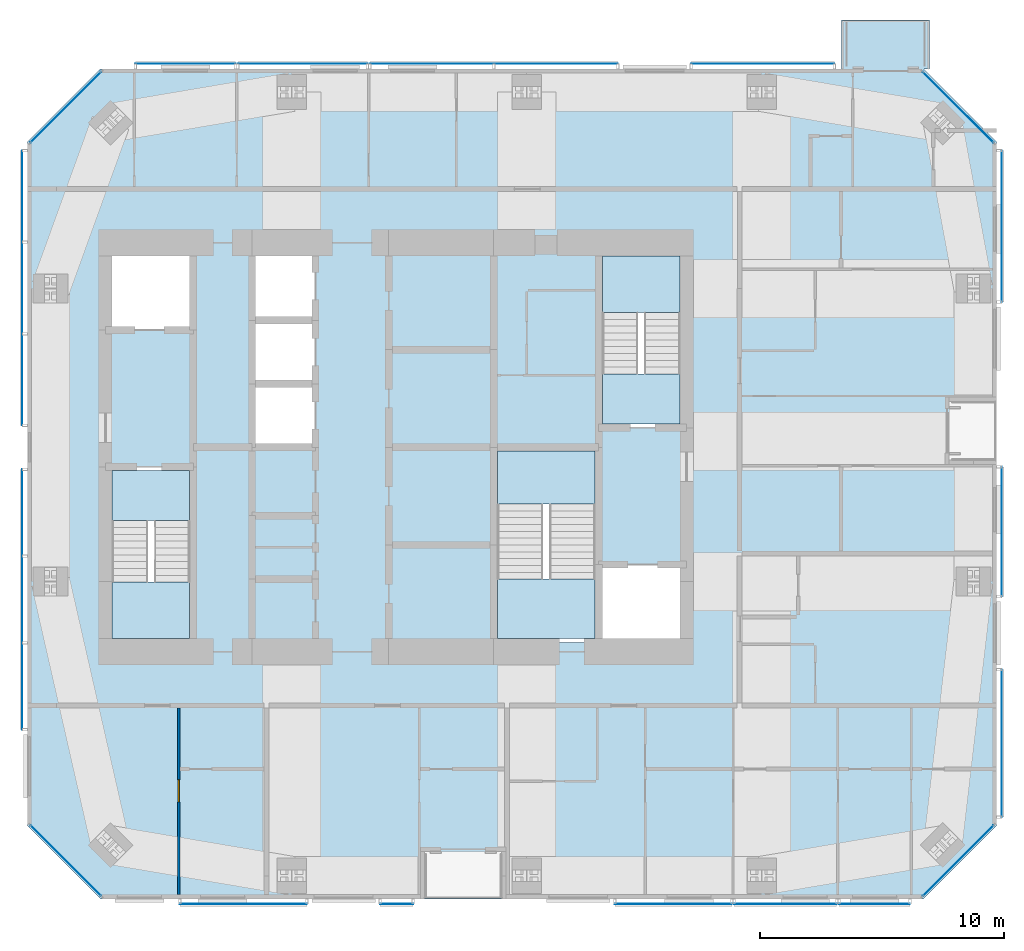
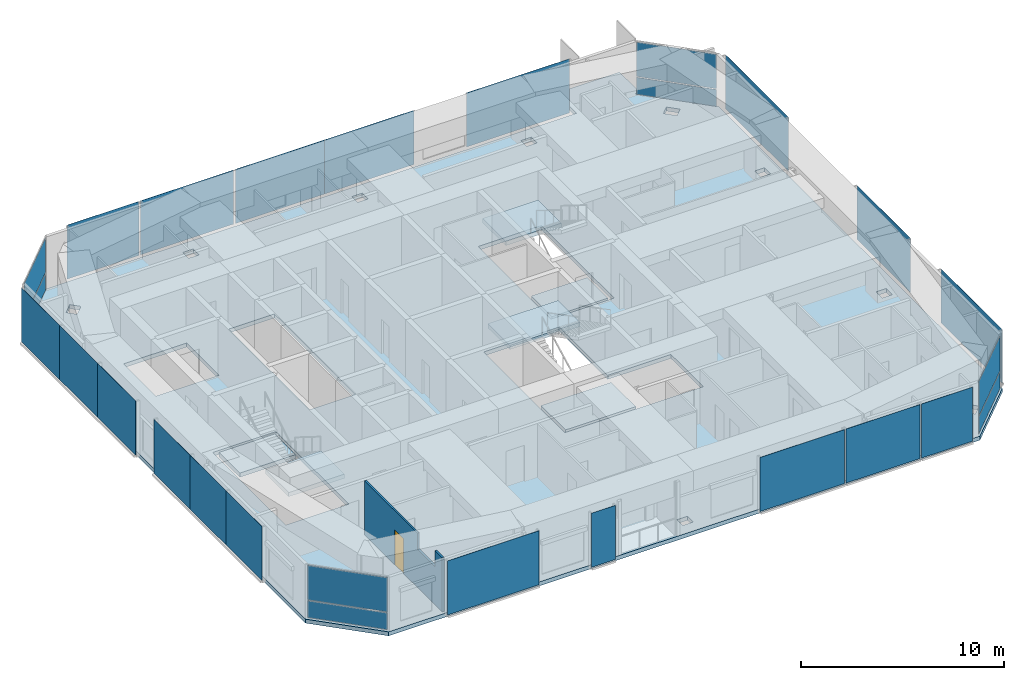
# One storey, part 13 of 20: 27 plates, 7 slabs, 1 door, 1 wall, 1 opening, 21 elements without a shape of their own.
"""IFC4 building model written with IfcOpenShell, lengths in metres."""

import ifcopenshell
import ifcopenshell.guid

model = None  # the IFC model being written
_history = None  # IfcOwnerHistory: only IFC2X3 demands one
_inside = {}  # id of a spatial element -> (the spatial element, [elements in it])
_under = {}  # id of a project, library or spatial element -> (it, [spatial elements below it])
_declared = {}  # id of a project -> (the project, [libraries it declares])
_typed = {}  # id of a type object -> (the type object, [elements of that type])
_made_of = {}  # id of a material, layer set ... -> (it, [elements and type objects made of it])


def new_model(schema):
    """Start an empty IFC model of exactly this schema.

    Asked for "IFC4X3", IfcOpenShell would pick the latest addendum, in which some entities
    have other attributes; the version numbers below select the first issue.
    IFC2X3 requires an IfcOwnerHistory on every rooted entity: one is made here for all.
    """
    global model, _history
    if schema == "IFC4X3":
        model = ifcopenshell.file(schema_version=(4, 3, 0, 0))
    else:
        model = ifcopenshell.file(schema=schema)
    _inside.clear()
    _under.clear()
    _declared.clear()
    _typed.clear()
    _made_of.clear()
    _history = None
    if model.schema == "IFC2X3":
        org = make("IfcOrganization", Name="unknown")
        user = make(
            "IfcPersonAndOrganization",
            ThePerson=make("IfcPerson", FamilyName="unknown"),
            TheOrganization=org,
        )
        app = make(
            "IfcApplication",
            ApplicationDeveloper=org,
            Version="unknown",
            ApplicationFullName="unknown",
            ApplicationIdentifier="unknown",
        )
        _history = make(
            "IfcOwnerHistory",
            OwningUser=user,
            OwningApplication=app,
            ChangeAction="ADDED",
            CreationDate=0,
        )
    return model


def make(cls, **values):
    """One entity of the class cls with the attributes given. An attribute that is None is left unset."""
    return model.create_entity(
        cls, **{name: value for name, value in values.items() if value is not None}
    )


def rooted(cls, **values):
    """An entity with a GlobalId (a new one), such as an element, a storey or a relation."""
    return make(cls, GlobalId=ifcopenshell.guid.new(), OwnerHistory=_history, **values)


def si_unit(unit_type, name, prefix=None):
    """IfcSIUnit, for example si_unit("LENGTHUNIT", "METRE", prefix="MILLI")."""
    return make("IfcSIUnit", UnitType=unit_type, Prefix=prefix, Name=name)


def assignment(units):
    """IfcUnitAssignment: the units of a project."""
    return None if units is None else make("IfcUnitAssignment", Units=units)


def point(xyz):
    """IfcCartesianPoint."""
    return None if xyz is None else make("IfcCartesianPoint", Coordinates=xyz)


def direction(xyz):
    """IfcDirection."""
    return None if xyz is None else make("IfcDirection", DirectionRatios=xyz)


def frame(location, z_axis=None, x_axis=None):
    """IfcAxis2Placement3D, a coordinate frame: its origin and axes. An axis left out is left unset."""
    return make(
        "IfcAxis2Placement3D",
        Location=point(location),
        Axis=direction(z_axis),
        RefDirection=direction(x_axis),
    )


def frame_2d(location, x_axis=None):
    """IfcAxis2Placement2D, a coordinate frame in the plane: its origin and x axis."""
    return make(
        "IfcAxis2Placement2D", Location=point(location), RefDirection=direction(x_axis)
    )


def origin():
    """The frame at (0, 0, 0) with its axes left unset."""
    return frame((0.0, 0.0, 0.0))


def origin_2d():
    """The frame at (0, 0) in the plane with its x axis left unset."""
    return frame_2d((0.0, 0.0))


def place(relative_to, where):
    """IfcLocalPlacement: puts the frame where relative to a parent placement (None: the world)."""
    return make(
        "IfcLocalPlacement", PlacementRelTo=relative_to, RelativePlacement=where
    )


def context(
    kind, dimensions, precision=None, world=None, true_north=None, identifier=None
):
    """IfcGeometricRepresentationContext, for example the 3D "Model" context."""
    return make(
        "IfcGeometricRepresentationContext",
        ContextIdentifier=identifier,
        ContextType=kind,
        CoordinateSpaceDimension=dimensions,
        Precision=precision,
        WorldCoordinateSystem=world,
        TrueNorth=true_north,
    )


def subcontext(parent, identifier, kind, view, scale=None):
    """IfcGeometricRepresentationSubContext, for example "Body" below "Model"."""
    return make(
        "IfcGeometricRepresentationSubContext",
        ContextIdentifier=identifier,
        ContextType=kind,
        ParentContext=parent,
        TargetScale=scale,
        TargetView=view,
    )


def project(units=None, contexts=None):
    """IfcProject with its units and contexts."""
    return rooted(
        "IfcProject",
        Name="project",
        RepresentationContexts=contexts,
        UnitsInContext=assignment(units),
    )


def spatial(cls, under=None, at=None, **own):
    """A site, building, storey or space (cls), placed at a placement, below another one or the project."""
    s = rooted(cls, ObjectPlacement=at, **own)
    if under is not None:
        _under.setdefault(under.id(), (under, []))[1].append(s)
    return s


def polyline(points):
    """IfcPolyline through the points."""
    return make("IfcPolyline", Points=[point(p) for p in points])


def profile(cls, at=None, kind="AREA", **sizes):
    """A parametric profile (cls). Its sizes go by their IFC names, for example OverallWidth=200.0."""
    return make(cls, ProfileType=kind, Position=at, **sizes)


def rectangle(**sizes):
    """IfcRectangleProfileDef."""
    return profile("IfcRectangleProfileDef", **sizes)


def outline(outer, holes=None, kind="AREA"):
    """IfcArbitraryClosedProfileDef: a profile drawn as a closed curve; with holes, ...WithVoids."""
    if holes is None:
        return make("IfcArbitraryClosedProfileDef", ProfileType=kind, OuterCurve=outer)
    return make(
        "IfcArbitraryProfileDefWithVoids",
        ProfileType=kind,
        OuterCurve=outer,
        InnerCurves=holes,
    )


def extrude(swept, where, along, depth):
    """IfcExtrudedAreaSolid: the profile swept, set in the frame where, extruded along a direction by depth."""
    return make(
        "IfcExtrudedAreaSolid",
        SweptArea=swept,
        Position=where,
        ExtrudedDirection=direction(along),
        Depth=depth,
    )


def shape(context_of_items, identifier, shape_type, items):
    """IfcShapeRepresentation: the items that make up one representation, for example the "Body"."""
    return make(
        "IfcShapeRepresentation",
        ContextOfItems=context_of_items,
        RepresentationIdentifier=identifier,
        RepresentationType=shape_type,
        Items=items,
    )


def material(Name=None, Category=None):
    """IfcMaterial."""
    return make("IfcMaterial", Name=Name, Category=Category)


def layer(
    of_material, thickness, ventilated=None, Name=None, Category=None, Priority=None
):
    """IfcMaterialLayer: one layer of a wall or slab, of a material (None: an air gap)."""
    return make(
        "IfcMaterialLayer",
        Material=of_material,
        LayerThickness=thickness,
        IsVentilated=ventilated,
        Name=Name,
        Category=Category,
        Priority=Priority,
    )


def layer_set(layers, Name=None):
    """IfcMaterialLayerSet."""
    return make("IfcMaterialLayerSet", MaterialLayers=layers, LayerSetName=Name)


def constituent(of_material, Name=None, Category=None, fraction=None):
    """IfcMaterialConstituent: one of the materials an element consists of."""
    return make(
        "IfcMaterialConstituent",
        Name=Name,
        Material=of_material,
        Fraction=fraction,
        Category=Category,
    )


def constituent_set(constituents=None, Name=None):
    """IfcMaterialConstituentSet."""
    return make(
        "IfcMaterialConstituentSet", Name=Name, MaterialConstituents=constituents
    )


def made_of(thing, what):
    """Note that an element or type object is made of a material, layer set ...; save() writes the relation."""
    if what is not None:
        _made_of.setdefault(what.id(), (what, []))[1].append(thing)
    return thing


def type_object(cls, material=None, **own):
    """A type object (cls), such as IfcWallType, which elements share."""
    return made_of(rooted(cls, **own), material)


def element(
    cls,
    number,
    at=None,
    inside=None,
    cuts=None,
    type_object=None,
    material=None,
    context=None,
    identifier="Body",
    shape_type=None,
    held_by="IfcProductDefinitionShape",
    body=None,
    shapes=None,
    **own,
):
    """One element of the class cls, such as IfcWall. Its Tag is "e" and its number.

    at: its placement. inside: the storey or other place that contains it. cuts: it is an
    opening in that element (IfcRelVoidsElement). A single representation is given by context,
    identifier, shape_type and body (its items); several are given by shapes. held_by: the class
    of the entity that holds the representations. save() writes the other relations.
    """
    e = rooted(cls, Tag="e%d" % number, ObjectPlacement=at, **own)
    if body is not None:
        shapes = [shape(context, identifier, shape_type, body)]
    if shapes is not None:
        e.Representation = make(held_by, Representations=shapes)
    if inside is not None:
        _inside.setdefault(inside.id(), (inside, []))[1].append(e)
    if cuts is not None:
        rooted(
            "IfcRelVoidsElement", RelatingBuildingElement=cuts, RelatedOpeningElement=e
        )
    if type_object is not None:
        _typed.setdefault(type_object.id(), (type_object, []))[1].append(e)
    return made_of(e, material)


def fill(opening, filler):
    """IfcRelFillsElement: the door or window that sits in an opening."""
    return rooted(
        "IfcRelFillsElement",
        RelatingOpeningElement=opening,
        RelatedBuildingElement=filler,
    )


def aggregate(whole, parts):
    """IfcRelAggregates: a whole, such as a stair, and the parts it consists of."""
    return rooted("IfcRelAggregates", RelatingObject=whole, RelatedObjects=parts)


def save(model, path):
    """Write the relations noted so far, then the file.

    IfcRelAggregates (storeys below a building ...), IfcRelContainedInSpatialStructure (elements
    in a storey), IfcRelDefinesByType, IfcRelAssociatesMaterial and IfcRelDeclares: one each for
    every whole, place, type object, material and project.
    """
    for whole, parts in _under.values():
        aggregate(whole, parts)
    for where, things in _inside.values():
        rooted(
            "IfcRelContainedInSpatialStructure",
            RelatedElements=things,
            RelatingStructure=where,
        )
    for kind, things in _typed.values():
        rooted("IfcRelDefinesByType", RelatedObjects=things, RelatingType=kind)
    for what, things in _made_of.values():
        rooted("IfcRelAssociatesMaterial", RelatedObjects=things, RelatingMaterial=what)
    for by, libraries in _declared.values():
        rooted("IfcRelDeclares", RelatingContext=by, RelatedDefinitions=libraries)
    model.write(path)


model = new_model("IFC4")

# Units and contexts
model_context = context("Model", 3, precision=1e-05, world=origin(), true_north=direction((0.0, 1.0)))
body_context = subcontext(model_context, "Body", "Model", "MODEL_VIEW")
ifc_project = project(units=[si_unit("LENGTHUNIT", "METRE"), si_unit("AREAUNIT", "SQUARE_METRE"), si_unit("VOLUMEUNIT", "CUBIC_METRE"), si_unit("PLANEANGLEUNIT", "RADIAN"), si_unit("MASSUNIT", "GRAM", prefix="KILO")], contexts=[model_context])

# Site, building, storey
site_placement = place(None, origin())
site = spatial("IfcSite", under=ifc_project, at=site_placement, CompositionType="ELEMENT")
building_placement = place(site_placement, origin())
building = spatial("IfcBuilding", under=site, at=building_placement, Name="Jalousie Tower", CompositionType="ELEMENT")
storey_placement = place(building_placement, frame((0.0, 0.0, 245.949951171875)))
storey = spatial("IfcBuildingStorey", under=building, at=storey_placement, Name="L67", CompositionType="ELEMENT", Elevation=245.949951171875)

# Curtain wall, plates
ifc_material_1 = material(Name="Aluminium curtain wall", Category="aluminium")
curtain_wall_type_1 = type_object("IfcCurtainWallType", Name="CORNER WINDOW WALL", PredefinedType="USERDEFINED", material=ifc_material_1)
curtain_wall_1_placement = place(storey_placement, origin())
curtain_wall_1 = element("IfcCurtainWall", 1, at=curtain_wall_1_placement, inside=storey, type_object=curtain_wall_type_1, Name="Corner Window Wall L67 2", ObjectType="CORNER WINDOW WALL", PredefinedType="USERDEFINED")
ifc_material_2 = material(Name="Laminated impact-rated spandrel glass", Category="glass")
ifc_layer_1 = layer(ifc_material_2, 0.028076171875)
ifc_layer_set_1 = layer_set([ifc_layer_1], Name="Laminated impact-rated spandrel glass")
plate_type_1 = type_object("IfcPlateType", Name="CORNER WINDOW WALL PANEL", PredefinedType="CURTAIN_PANEL", material=ifc_layer_set_1)
plate_1_placement = place(storey_placement, frame((54.9306640625, 1.5693359375, 0.06005859375), z_axis=(0.0, 0.0, 1.0), x_axis=(0.707106781187, 0.707106781187, 0.0)))
plate_1 = element("IfcPlate", 2, at=plate_1_placement, type_object=plate_type_1, Name="CW-C panel 1.1", PredefinedType="CURTAIN_PANEL", context=body_context, shape_type="SweptSolid", body=[
    extrude(rectangle(XDim=4.071533203125, YDim=0.028076171875, at=origin_2d()), origin(), (0.0, 0.0, 1.0), 1.010009765625),
])
plate_2_placement = place(storey_placement, frame((54.9306640625, 1.5693359375, 1.1298828125), z_axis=(0.0, 0.0, 1.0), x_axis=(0.707106781187, 0.707106781187, 0.0)))
plate_2 = element("IfcPlate", 3, at=plate_2_placement, type_object=plate_type_1, Name="CW-C panel 1.2", PredefinedType="CURTAIN_PANEL", context=body_context, shape_type="SweptSolid", body=[
    extrude(rectangle(XDim=4.071533203125, YDim=0.028076171875, at=origin_2d()), origin(), (0.0, 0.0, 1.0), 2.070068359375),
])
aggregate(curtain_wall_1, [plate_1, plate_2])

curtain_wall_2_placement = place(storey_placement, origin())
curtain_wall_2 = element("IfcCurtainWall", 4, at=curtain_wall_2_placement, inside=storey, type_object=curtain_wall_type_1, Name="Corner Window Wall L67 4", ObjectType="CORNER WINDOW WALL", PredefinedType="USERDEFINED")
plate_3_placement = place(storey_placement, frame((54.9306640625, 32.4306640625, 0.06005859375), z_axis=(0.0, 0.0, 1.0), x_axis=(-0.707106781187, 0.707106781187, 0.0)))
plate_3 = element("IfcPlate", 5, at=plate_3_placement, type_object=plate_type_1, Name="CW-C panel 1.1", PredefinedType="CURTAIN_PANEL", context=body_context, shape_type="SweptSolid", body=[
    extrude(rectangle(XDim=4.071533203125, YDim=0.028076171875, at=origin_2d()), origin(), (0.0, 0.0, 1.0), 1.010009765625),
])
plate_4_placement = place(storey_placement, frame((54.9306640625, 32.4306640625, 1.1298828125), z_axis=(0.0, 0.0, 1.0), x_axis=(-0.707106781187, 0.707106781187, 0.0)))
plate_4 = element("IfcPlate", 6, at=plate_4_placement, type_object=plate_type_1, Name="CW-C panel 1.2", PredefinedType="CURTAIN_PANEL", context=body_context, shape_type="SweptSolid", body=[
    extrude(rectangle(XDim=4.071533203125, YDim=0.028076171875, at=origin_2d()), origin(), (0.0, 0.0, 1.0), 2.070068359375),
])
aggregate(curtain_wall_2, [plate_3, plate_4])

curtain_wall_3_placement = place(storey_placement, origin())
curtain_wall_3 = element("IfcCurtainWall", 7, at=curtain_wall_3_placement, inside=storey, type_object=curtain_wall_type_1, Name="Corner Window Wall L67 6", ObjectType="CORNER WINDOW WALL", PredefinedType="USERDEFINED")
plate_5_placement = place(storey_placement, frame((18.369384765625, 32.4306640625, 0.06005859375), z_axis=(0.0, 0.0, 1.0), x_axis=(-0.707106781187, -0.707106781187, 0.0)))
plate_5 = element("IfcPlate", 8, at=plate_5_placement, type_object=plate_type_1, Name="CW-C panel 1.1", PredefinedType="CURTAIN_PANEL", context=body_context, shape_type="SweptSolid", body=[
    extrude(rectangle(XDim=4.071533203125, YDim=0.028076171875, at=origin_2d()), origin(), (0.0, 0.0, 1.0), 1.010009765625),
])
plate_6_placement = place(storey_placement, frame((18.369384765625, 32.4306640625, 1.1298828125), z_axis=(0.0, 0.0, 1.0), x_axis=(-0.707106781187, -0.707106781187, 0.0)))
plate_6 = element("IfcPlate", 9, at=plate_6_placement, type_object=plate_type_1, Name="CW-C panel 1.2", PredefinedType="CURTAIN_PANEL", context=body_context, shape_type="SweptSolid", body=[
    extrude(rectangle(XDim=4.071533203125, YDim=0.028076171875, at=origin_2d()), origin(), (0.0, 0.0, 1.0), 2.070068359375),
])
aggregate(curtain_wall_3, [plate_5, plate_6])

curtain_wall_4_placement = place(storey_placement, origin())
curtain_wall_4 = element("IfcCurtainWall", 10, at=curtain_wall_4_placement, inside=storey, type_object=curtain_wall_type_1, Name="Corner Window Wall L67 8", ObjectType="CORNER WINDOW WALL", PredefinedType="USERDEFINED")
plate_7_placement = place(storey_placement, frame((18.369384765625, 1.5693359375, 0.06005859375), z_axis=(0.0, 0.0, 1.0), x_axis=(0.707106781187, -0.707106781187, 0.0)))
plate_7 = element("IfcPlate", 11, at=plate_7_placement, type_object=plate_type_1, Name="CW-C panel 1.1", PredefinedType="CURTAIN_PANEL", context=body_context, shape_type="SweptSolid", body=[
    extrude(rectangle(XDim=4.071533203125, YDim=0.028076171875, at=origin_2d()), origin(), (0.0, 0.0, 1.0), 1.010009765625),
])
plate_8_placement = place(storey_placement, frame((18.369384765625, 1.5693359375, 1.1298828125), z_axis=(0.0, 0.0, 1.0), x_axis=(0.707106781187, -0.707106781187, 0.0)))
plate_8 = element("IfcPlate", 12, at=plate_8_placement, type_object=plate_type_1, Name="CW-C panel 1.2", PredefinedType="CURTAIN_PANEL", context=body_context, shape_type="SweptSolid", body=[
    extrude(rectangle(XDim=4.071533203125, YDim=0.028076171875, at=origin_2d()), origin(), (0.0, 0.0, 1.0), 2.070068359375),
])
aggregate(curtain_wall_4, [plate_7, plate_8])

# Slab
ifc_material_3 = material(Name="Concrete f'c 40 MPa", Category="concrete")
ifc_layer_2 = layer(ifc_material_3, 0.239990234375)
ifc_layer_set_2 = layer_set([ifc_layer_2], Name="Concrete f'c 40 MPa")
slab_type_1 = type_object("IfcSlabType", Name="FLOOR SLAB 240", PredefinedType="FLOOR", material=ifc_layer_set_2)
slab_1_placement = place(storey_placement, frame((0.0, 0.0, -0.239990234375)))
element("IfcSlab", 13, at=slab_1_placement, inside=storey, type_object=slab_type_1, Name="L67 floor slab", PredefinedType="FLOOR", context=body_context, shape_type="SweptSolid", body=[
    extrude(outline(polyline([(16.800048828125, 3.0), (16.800048828125, 31.0), (19.800048828125, 34.0), (50.148681640625, 34.0), (50.148681640625, 36.0), (53.748779296875, 36.0), (53.748779296875, 34.0), (53.5, 34.0), (56.5, 31.0), (56.5, 3.0), (53.5, 0.0), (19.800048828125, 0.0), (16.800048828125, 3.0)]), holes=[polyline([(55.263916015625, 13.300048828125), (55.263916015625, 12.699951171875), (55.836181640625, 12.699951171875), (55.836181640625, 13.300048828125), (55.263916015625, 13.300048828125)]), polyline([(55.836181640625, 24.699951171875), (55.836181640625, 25.300048828125), (55.263916015625, 25.300048828125), (55.263916015625, 24.699951171875), (55.836181640625, 24.699951171875)]), polyline([(54.247802734375, 1.757080078125), (54.742919921875, 2.252197265625), (54.337890625, 2.656982421875), (53.843017578125, 2.162109375), (54.247802734375, 1.757080078125)]), polyline([(53.843017578125, 31.837890625), (54.337890625, 31.343017578125), (54.742919921875, 31.747802734375), (54.247802734375, 32.242919921875), (53.843017578125, 31.837890625)]), polyline([(46.574951171875, 32.763916015625), (47.175048828125, 32.763916015625), (47.175048828125, 33.336181640625), (46.574951171875, 33.336181640625), (46.574951171875, 32.763916015625)]), polyline([(46.574951171875, 0.663818359375), (47.175048828125, 0.663818359375), (47.175048828125, 1.236083984375), (46.574951171875, 1.236083984375), (46.574951171875, 0.663818359375)]), polyline([(43.800048828125, 10.5), (43.800048828125, 13.699951171875), (40.199951171875, 13.699951171875), (40.199951171875, 18.5), (35.89990234375, 18.5), (35.89990234375, 10.5), (43.800048828125, 10.5)]), polyline([(43.800048828125, 19.300048828125), (43.800048828125, 26.5), (40.199951171875, 26.5), (40.199951171875, 19.300048828125), (43.800048828125, 19.300048828125)]), polyline([(36.949951171875, 32.763916015625), (37.550048828125, 32.763916015625), (37.550048828125, 33.336181640625), (36.949951171875, 33.336181640625), (36.949951171875, 32.763916015625)]), polyline([(37.550048828125, 1.236083984375), (36.949951171875, 1.236083984375), (36.949951171875, 0.663818359375), (37.550048828125, 0.663818359375), (37.550048828125, 1.236083984375)]), polyline([(28.60009765625, 18.5), (28.60009765625, 26.5), (26.0, 26.5), (26.0, 18.5), (28.60009765625, 18.5)]), polyline([(27.324951171875, 32.763916015625), (27.925048828125, 32.763916015625), (27.925048828125, 33.336181640625), (27.324951171875, 33.336181640625), (27.324951171875, 32.763916015625)]), polyline([(27.324951171875, 0.663818359375), (27.925048828125, 0.663818359375), (27.925048828125, 1.236083984375), (27.324951171875, 1.236083984375), (27.324951171875, 0.663818359375)]), polyline([(23.60009765625, 23.300048828125), (23.60009765625, 26.5), (20.0, 26.5), (20.0, 23.300048828125), (23.60009765625, 23.300048828125)]), polyline([(23.60009765625, 10.5), (23.60009765625, 17.699951171875), (20.0, 17.699951171875), (20.0, 10.5), (23.60009765625, 10.5)]), polyline([(19.757080078125, 31.747802734375), (20.162109375, 31.343017578125), (20.656982421875, 31.837890625), (20.252197265625, 32.242919921875), (19.757080078125, 31.747802734375)]), polyline([(19.757080078125, 2.252197265625), (20.252197265625, 1.757080078125), (20.656982421875, 2.162109375), (20.162109375, 2.656982421875), (19.757080078125, 2.252197265625)]), polyline([(18.0361328125, 12.699951171875), (18.0361328125, 13.300048828125), (17.4638671875, 13.300048828125), (17.4638671875, 12.699951171875), (18.0361328125, 12.699951171875)]), polyline([(17.4638671875, 25.300048828125), (17.4638671875, 24.699951171875), (18.0361328125, 24.699951171875), (18.0361328125, 25.300048828125), (17.4638671875, 25.300048828125)])]), origin(), (0.0, 0.0, 1.0), 0.239990234375),
])

# Curtain wall, plate
ifc_material_4 = material(Name="Perforated aluminium sheet", Category="aluminium")
curtain_wall_type_2 = type_object("IfcCurtainWallType", Name="SOLAR SCREEN SS-2", PredefinedType="USERDEFINED", material=ifc_material_4)
curtain_wall_5_placement = place(storey_placement, origin())
curtain_wall_5 = element("IfcCurtainWall", 14, at=curtain_wall_5_placement, inside=storey, type_object=curtain_wall_type_2, Name="Solar screen L67", ObjectType="SOLAR SCREEN SS-2", PredefinedType="USERDEFINED")
ifc_material_5 = material(Name="Perforated aluminium sheet", Category="aluminium")
ifc_layer_3 = layer(ifc_material_5, 0.006103515625)
ifc_layer_set_3 = layer_set([ifc_layer_3], Name="Perforated aluminium sheet")
plate_type_2 = type_object("IfcPlateType", Name="SOLAR SCREEN SS-2 PANEL", PredefinedType="CURTAIN_PANEL", material=ifc_layer_set_3)
plate_9_placement = place(storey_placement, frame((25.64990234375, -0.201171875, 0.0), z_axis=(0.0, 0.0, 1.0), x_axis=(1.0, 0.0, 0.0)))
plate_9 = element("IfcPlate", 15, at=plate_9_placement, type_object=plate_type_2, Name="SS2 perforated panel 1", PredefinedType="CURTAIN_PANEL", context=body_context, shape_type="SweptSolid", body=[
    extrude(rectangle(XDim=5.199951171875, YDim=0.006103515625, at=origin_2d()), origin(), (0.0, 0.0, 1.0), 3.260009765625),
])
aggregate(curtain_wall_5, [plate_9])

curtain_wall_6_placement = place(storey_placement, origin())
curtain_wall_6 = element("IfcCurtainWall", 16, at=curtain_wall_6_placement, inside=storey, type_object=curtain_wall_type_2, Name="Solar screen L67", ObjectType="SOLAR SCREEN SS-2", PredefinedType="USERDEFINED")
plate_10_placement = place(storey_placement, frame((31.925048828125, -0.201171875, 0.0), z_axis=(0.0, 0.0, 1.0), x_axis=(1.0, 0.0, 0.0)))
plate_10 = element("IfcPlate", 17, at=plate_10_placement, type_object=plate_type_2, Name="SS2 perforated panel 1", PredefinedType="CURTAIN_PANEL", context=body_context, shape_type="SweptSolid", body=[
    extrude(rectangle(XDim=1.35009765625, YDim=0.006103515625, at=origin_2d()), origin(), (0.0, 0.0, 1.0), 3.260009765625),
])
aggregate(curtain_wall_6, [plate_10])

curtain_wall_7_placement = place(storey_placement, origin())
curtain_wall_7 = element("IfcCurtainWall", 18, at=curtain_wall_7_placement, inside=storey, type_object=curtain_wall_type_2, Name="Solar screen L67", ObjectType="SOLAR SCREEN SS-2", PredefinedType="USERDEFINED")
plate_11_placement = place(storey_placement, frame((43.2548828125, -0.201171875, 0.0), z_axis=(0.0, 0.0, 1.0), x_axis=(1.0, 0.0, 0.0)))
plate_11 = element("IfcPlate", 19, at=plate_11_placement, type_object=plate_type_2, Name="SS2 perforated panel 1", PredefinedType="CURTAIN_PANEL", context=body_context, shape_type="SweptSolid", body=[
    extrude(rectangle(XDim=4.7900390625, YDim=0.006103515625, at=origin_2d()), origin(), (0.0, 0.0, 1.0), 3.260009765625),
])
aggregate(curtain_wall_7, [plate_11])

curtain_wall_8_placement = place(storey_placement, origin())
curtain_wall_8 = element("IfcCurtainWall", 20, at=curtain_wall_8_placement, inside=storey, type_object=curtain_wall_type_2, Name="Solar screen L67", ObjectType="SOLAR SCREEN SS-2", PredefinedType="USERDEFINED")
plate_12_placement = place(storey_placement, frame((47.85009765625, -0.201171875, 0.0), z_axis=(0.0, 0.0, 1.0), x_axis=(1.0, 0.0, 0.0)))
plate_12 = element("IfcPlate", 21, at=plate_12_placement, type_object=plate_type_2, Name="SS2 perforated panel 1", PredefinedType="CURTAIN_PANEL", context=body_context, shape_type="SweptSolid", body=[
    extrude(rectangle(XDim=4.199951171875, YDim=0.006103515625, at=origin_2d()), origin(), (0.0, 0.0, 1.0), 3.260009765625),
])
aggregate(curtain_wall_8, [plate_12])

curtain_wall_9_placement = place(storey_placement, origin())
curtain_wall_9 = element("IfcCurtainWall", 22, at=curtain_wall_9_placement, inside=storey, type_object=curtain_wall_type_2, Name="Solar screen L67", ObjectType="SOLAR SCREEN SS-2", PredefinedType="USERDEFINED")
plate_13_placement = place(storey_placement, frame((51.5, -0.201171875, 0.0), z_axis=(0.0, 0.0, 1.0), x_axis=(1.0, 0.0, 0.0)))
plate_13 = element("IfcPlate", 23, at=plate_13_placement, type_object=plate_type_2, Name="SS2 perforated panel 1", PredefinedType="CURTAIN_PANEL", context=body_context, shape_type="SweptSolid", body=[
    extrude(rectangle(XDim=2.89990234375, YDim=0.006103515625, at=origin_2d()), origin(), (0.0, 0.0, 1.0), 3.260009765625),
])
aggregate(curtain_wall_9, [plate_13])

curtain_wall_10_placement = place(storey_placement, origin())
curtain_wall_10 = element("IfcCurtainWall", 24, at=curtain_wall_10_placement, inside=storey, type_object=curtain_wall_type_2, Name="Solar screen L67", ObjectType="SOLAR SCREEN SS-2", PredefinedType="USERDEFINED")
plate_14_placement = place(storey_placement, frame((56.701171875, 6.371337890625, 0.0), z_axis=(0.0, 0.0, 1.0), x_axis=(0.0, 1.0, 0.0)))
plate_14 = element("IfcPlate", 25, at=plate_14_placement, type_object=plate_type_2, Name="SS2 perforated panel 1", PredefinedType="CURTAIN_PANEL", context=body_context, shape_type="SweptSolid", body=[
    extrude(rectangle(XDim=6.0400390625, YDim=0.006103515625, at=origin_2d()), origin(), (0.0, 0.0, 1.0), 3.260009765625),
])
aggregate(curtain_wall_10, [plate_14])

curtain_wall_11_placement = place(storey_placement, origin())
curtain_wall_11 = element("IfcCurtainWall", 26, at=curtain_wall_11_placement, inside=storey, type_object=curtain_wall_type_2, Name="Solar screen L67", ObjectType="SOLAR SCREEN SS-2", PredefinedType="USERDEFINED")
plate_15_placement = place(storey_placement, frame((56.701171875, 15.045654296875, 0.0), z_axis=(0.0, 0.0, 1.0), x_axis=(0.0, 1.0, 0.0)))
plate_15 = element("IfcPlate", 27, at=plate_15_placement, type_object=plate_type_2, Name="SS2 perforated panel 1", PredefinedType="CURTAIN_PANEL", context=body_context, shape_type="SweptSolid", body=[
    extrude(rectangle(XDim=5.30859375, YDim=0.006103515625, at=origin_2d()), origin(), (0.0, 0.0, 1.0), 3.260009765625),
])
aggregate(curtain_wall_11, [plate_15])

curtain_wall_12_placement = place(storey_placement, origin())
curtain_wall_12 = element("IfcCurtainWall", 28, at=curtain_wall_12_placement, inside=storey, type_object=curtain_wall_type_2, Name="Solar screen L67", ObjectType="SOLAR SCREEN SS-2", PredefinedType="USERDEFINED")
plate_16_placement = place(storey_placement, frame((56.701171875, 27.54931640625, 0.0), z_axis=(0.0, 0.0, 1.0), x_axis=(0.0, 1.0, 0.0)))
plate_16 = element("IfcPlate", 29, at=plate_16_placement, type_object=plate_type_2, Name="SS2 perforated panel 1", PredefinedType="CURTAIN_PANEL", context=body_context, shape_type="SweptSolid", body=[
    extrude(rectangle(XDim=6.19873046875, YDim=0.006103515625, at=origin_2d()), origin(), (0.0, 0.0, 1.0), 3.260009765625),
])
aggregate(curtain_wall_12, [plate_16])

curtain_wall_13_placement = place(storey_placement, origin())
curtain_wall_13 = element("IfcCurtainWall", 30, at=curtain_wall_13_placement, inside=storey, type_object=curtain_wall_type_2, Name="Solar screen L67", ObjectType="SOLAR SCREEN SS-2", PredefinedType="USERDEFINED")
plate_17_placement = place(storey_placement, frame((46.918701171875, 34.201171875, 0.0), z_axis=(0.0, 0.0, 1.0), x_axis=(-1.0, 0.0, 0.0)))
plate_17 = element("IfcPlate", 31, at=plate_17_placement, type_object=plate_type_2, Name="SS2 perforated panel 1", PredefinedType="CURTAIN_PANEL", context=body_context, shape_type="SweptSolid", body=[
    extrude(rectangle(XDim=5.860107421875, YDim=0.006103515625, at=origin_2d()), origin(), (0.0, 0.0, 1.0), 3.260009765625),
])
aggregate(curtain_wall_13, [plate_17])

# Curtain wall, plates
curtain_wall_14_placement = place(storey_placement, origin())
curtain_wall_14 = element("IfcCurtainWall", 32, at=curtain_wall_14_placement, inside=storey, type_object=curtain_wall_type_2, Name="Solar screen L67", ObjectType="SOLAR SCREEN SS-2", PredefinedType="USERDEFINED")
plate_18_placement = place(storey_placement, frame((38.44775390625, 34.201171875, 0.0), z_axis=(0.0, 0.0, 1.0), x_axis=(-1.0, 0.0, 0.0)))
plate_18 = element("IfcPlate", 33, at=plate_18_placement, type_object=plate_type_2, Name="SS2 perforated panel 1", PredefinedType="CURTAIN_PANEL", context=body_context, shape_type="SweptSolid", body=[
    extrude(rectangle(XDim=5.081787109375, YDim=0.006103515625, at=origin_2d()), origin(), (0.0, 0.0, 1.0), 3.260009765625),
])
plate_19_placement = place(storey_placement, frame((33.365966796875, 34.201171875, 0.0), z_axis=(0.0, 0.0, 1.0), x_axis=(-1.0, 0.0, 0.0)))
plate_19 = element("IfcPlate", 34, at=plate_19_placement, type_object=plate_type_2, Name="SS2 perforated panel 2", PredefinedType="CURTAIN_PANEL", context=body_context, shape_type="SweptSolid", body=[
    extrude(rectangle(XDim=5.081787109375, YDim=0.006103515625, at=origin_2d()), origin(), (0.0, 0.0, 1.0), 3.260009765625),
])
aggregate(curtain_wall_14, [plate_18, plate_19])

# Curtain wall, plate
curtain_wall_15_placement = place(storey_placement, origin())
curtain_wall_15 = element("IfcCurtainWall", 35, at=curtain_wall_15_placement, inside=storey, type_object=curtain_wall_type_2, Name="Solar screen L67", ObjectType="SOLAR SCREEN SS-2", PredefinedType="USERDEFINED")
plate_20_placement = place(storey_placement, frame((28.074951171875, 34.201171875, 0.0), z_axis=(0.0, 0.0, 1.0), x_axis=(-1.0, 0.0, 0.0)))
plate_20 = element("IfcPlate", 36, at=plate_20_placement, type_object=plate_type_2, Name="SS2 perforated panel 1", PredefinedType="CURTAIN_PANEL", context=body_context, shape_type="SweptSolid", body=[
    extrude(rectangle(XDim=5.300048828125, YDim=0.006103515625, at=origin_2d()), origin(), (0.0, 0.0, 1.0), 3.260009765625),
])
aggregate(curtain_wall_15, [plate_20])

curtain_wall_16_placement = place(storey_placement, origin())
curtain_wall_16 = element("IfcCurtainWall", 37, at=curtain_wall_16_placement, inside=storey, type_object=curtain_wall_type_2, Name="Solar screen L67", ObjectType="SOLAR SCREEN SS-2", PredefinedType="USERDEFINED")
plate_21_placement = place(storey_placement, frame((23.275634765625, 34.201171875, 0.0), z_axis=(0.0, 0.0, 1.0), x_axis=(-1.0, 0.0, 0.0)))
plate_21 = element("IfcPlate", 38, at=plate_21_placement, type_object=plate_type_2, Name="SS2 perforated panel 1", PredefinedType="CURTAIN_PANEL", context=body_context, shape_type="SweptSolid", body=[
    extrude(rectangle(XDim=4.0986328125, YDim=0.006103515625, at=origin_2d()), origin(), (0.0, 0.0, 1.0), 3.260009765625),
])
aggregate(curtain_wall_16, [plate_21])

# Curtain wall, plates
curtain_wall_17_placement = place(storey_placement, origin())
curtain_wall_17 = element("IfcCurtainWall", 39, at=curtain_wall_17_placement, inside=storey, type_object=curtain_wall_type_2, Name="Solar screen L67", ObjectType="SOLAR SCREEN SS-2", PredefinedType="USERDEFINED")
plate_22_placement = place(storey_placement, frame((16.598876953125, 28.77392578125, 0.0), z_axis=(0.0, 0.0, 1.0), x_axis=(0.0, -1.0, 0.0)))
plate_22 = element("IfcPlate", 40, at=plate_22_placement, type_object=plate_type_2, Name="SS2 perforated panel 1", PredefinedType="CURTAIN_PANEL", context=body_context, shape_type="SweptSolid", body=[
    extrude(rectangle(XDim=3.74951171875, YDim=0.006103515625, at=origin_2d()), origin(), (0.0, 0.0, 1.0), 3.260009765625),
])
plate_23_placement = place(storey_placement, frame((16.598876953125, 25.0244140625, 0.0), z_axis=(0.0, 0.0, 1.0), x_axis=(0.0, -1.0, 0.0)))
plate_23 = element("IfcPlate", 41, at=plate_23_placement, type_object=plate_type_2, Name="SS2 perforated panel 2", PredefinedType="CURTAIN_PANEL", context=body_context, shape_type="SweptSolid", body=[
    extrude(rectangle(XDim=3.74951171875, YDim=0.006103515625, at=origin_2d()), origin(), (0.0, 0.0, 1.0), 3.260009765625),
])
plate_24_placement = place(storey_placement, frame((16.598876953125, 21.27490234375, 0.0), z_axis=(0.0, 0.0, 1.0), x_axis=(0.0, -1.0, 0.0)))
plate_24 = element("IfcPlate", 42, at=plate_24_placement, type_object=plate_type_2, Name="SS2 perforated panel 3", PredefinedType="CURTAIN_PANEL", context=body_context, shape_type="SweptSolid", body=[
    extrude(rectangle(XDim=3.74951171875, YDim=0.006103515625, at=origin_2d()), origin(), (0.0, 0.0, 1.0), 3.260009765625),
])
aggregate(curtain_wall_17, [plate_22, plate_23, plate_24])

curtain_wall_18_placement = place(storey_placement, origin())
curtain_wall_18 = element("IfcCurtainWall", 43, at=curtain_wall_18_placement, inside=storey, type_object=curtain_wall_type_2, Name="Solar screen L67", ObjectType="SOLAR SCREEN SS-2", PredefinedType="USERDEFINED")
plate_25_placement = place(storey_placement, frame((16.598876953125, 15.822998046875, 0.0), z_axis=(0.0, 0.0, 1.0), x_axis=(0.0, -1.0, 0.0)))
plate_25 = element("IfcPlate", 44, at=plate_25_placement, type_object=plate_type_2, Name="SS2 perforated panel 1", PredefinedType="CURTAIN_PANEL", context=body_context, shape_type="SweptSolid", body=[
    extrude(rectangle(XDim=3.553955078125, YDim=0.006103515625, at=origin_2d()), origin(), (0.0, 0.0, 1.0), 3.260009765625),
])
plate_26_placement = place(storey_placement, frame((16.598876953125, 12.26904296875, 0.0), z_axis=(0.0, 0.0, 1.0), x_axis=(0.0, -1.0, 0.0)))
plate_26 = element("IfcPlate", 45, at=plate_26_placement, type_object=plate_type_2, Name="SS2 perforated panel 2", PredefinedType="CURTAIN_PANEL", context=body_context, shape_type="SweptSolid", body=[
    extrude(rectangle(XDim=3.553955078125, YDim=0.006103515625, at=origin_2d()), origin(), (0.0, 0.0, 1.0), 3.260009765625),
])
plate_27_placement = place(storey_placement, frame((16.598876953125, 8.715087890625, 0.0), z_axis=(0.0, 0.0, 1.0), x_axis=(0.0, -1.0, 0.0)))
plate_27 = element("IfcPlate", 46, at=plate_27_placement, type_object=plate_type_2, Name="SS2 perforated panel 3", PredefinedType="CURTAIN_PANEL", context=body_context, shape_type="SweptSolid", body=[
    extrude(rectangle(XDim=3.553955078125, YDim=0.006103515625, at=origin_2d()), origin(), (0.0, 0.0, 1.0), 3.260009765625),
])
aggregate(curtain_wall_18, [plate_25, plate_26, plate_27])

# Stair, slabs
ifc_material_6 = material(Name="Concrete f'c 40 MPa", Category="concrete")
stair_type = type_object("IfcStairType", Name="EXIT STAIR", PredefinedType="HALF_TURN_STAIR", material=ifc_material_6)
stair_1_placement = place(storey_placement, origin())
stair_1 = element("IfcStair", 47, at=stair_1_placement, inside=storey, type_object=stair_type, Name="Exit stair A L67", PredefinedType="HALF_TURN_STAIR")
ifc_material_7 = material(Name="Concrete f'c 40 MPa", Category="concrete")
ifc_layer_4 = layer(ifc_material_7, 0.25)
ifc_layer_set_4 = layer_set([ifc_layer_4], Name="Concrete f'c 40 MPa")
slab_type_2 = type_object("IfcSlabType", Name="STAIR LANDING 250", PredefinedType="LANDING", material=ifc_layer_set_4)
slab_2_placement = place(storey_placement, frame((0.0, 0.0, -0.25)))
slab_2 = element("IfcSlab", 48, at=slab_2_placement, type_object=slab_type_2, Name="ST-A landing 1", PredefinedType="LANDING", context=body_context, shape_type="SweptSolid", body=[
    extrude(outline(polyline([(20.27490234375, 15.49755859375), (23.449951171875, 15.49755859375), (23.449951171875, 17.550048828125), (20.27490234375, 17.550048828125), (20.27490234375, 15.49755859375)])), origin(), (0.0, 0.0, 1.0), 0.25),
])
slab_3_placement = place(storey_placement, frame((0.0, 0.0, 1.5)))
slab_3 = element("IfcSlab", 49, at=slab_3_placement, type_object=slab_type_2, Name="ST-A landing 2", PredefinedType="LANDING", context=body_context, shape_type="SweptSolid", body=[
    extrude(outline(polyline([(20.27490234375, 10.675048828125), (23.449951171875, 10.675048828125), (23.449951171875, 12.9775390625), (20.27490234375, 12.9775390625), (20.27490234375, 10.675048828125)])), origin(), (0.0, 0.0, 1.0), 0.25),
])
aggregate(stair_1, [slab_2, slab_3])

stair_2_placement = place(storey_placement, origin())
stair_2 = element("IfcStair", 50, at=stair_2_placement, inside=storey, type_object=stair_type, Name="Exit stair B L67", PredefinedType="HALF_TURN_STAIR")
slab_4_placement = place(storey_placement, frame((0.0, 0.0, -0.25)))
slab_4 = element("IfcSlab", 51, at=slab_4_placement, type_object=slab_type_2, Name="ST-B landing 1", PredefinedType="LANDING", context=body_context, shape_type="SweptSolid", body=[
    extrude(outline(polyline([(40.35009765625, 19.449951171875), (43.52490234375, 19.449951171875), (43.52490234375, 21.50244140625), (40.35009765625, 21.50244140625), (40.35009765625, 19.449951171875)])), origin(), (0.0, 0.0, 1.0), 0.25),
])
slab_5_placement = place(storey_placement, frame((0.0, 0.0, 1.5)))
slab_5 = element("IfcSlab", 52, at=slab_5_placement, type_object=slab_type_2, Name="ST-B landing 2", PredefinedType="LANDING", context=body_context, shape_type="SweptSolid", body=[
    extrude(outline(polyline([(40.35009765625, 24.0224609375), (43.52490234375, 24.0224609375), (43.52490234375, 26.324951171875), (40.35009765625, 26.324951171875), (40.35009765625, 24.0224609375)])), origin(), (0.0, 0.0, 1.0), 0.25),
])
aggregate(stair_2, [slab_4, slab_5])

stair_3_placement = place(storey_placement, origin())
stair_3 = element("IfcStair", 53, at=stair_3_placement, inside=storey, type_object=stair_type, Name="Exit stair C L67", PredefinedType="HALF_TURN_STAIR")
slab_6_placement = place(storey_placement, frame((0.0, 0.0, -0.25)))
slab_6 = element("IfcSlab", 54, at=slab_6_placement, type_object=slab_type_2, Name="ST-C landing 1", PredefinedType="LANDING", context=body_context, shape_type="SweptSolid", body=[
    extrude(outline(polyline([(36.050048828125, 10.675048828125), (40.050048828125, 10.675048828125), (40.050048828125, 13.097412109375), (36.050048828125, 13.097412109375), (36.050048828125, 10.675048828125)])), origin(), (0.0, 0.0, 1.0), 0.25),
])
slab_7_placement = place(storey_placement, frame((0.0, 0.0, 1.5)))
slab_7 = element("IfcSlab", 55, at=slab_7_placement, type_object=slab_type_2, Name="ST-C landing 2", PredefinedType="LANDING", context=body_context, shape_type="SweptSolid", body=[
    extrude(outline(polyline([(36.050048828125, 16.177490234375), (40.050048828125, 16.177490234375), (40.050048828125, 18.35009765625), (36.050048828125, 18.35009765625), (36.050048828125, 16.177490234375)])), origin(), (0.0, 0.0, 1.0), 0.25),
])
aggregate(stair_3, [slab_6, slab_7])

# Wall, opening, door
ifc_material_8 = material(Name="Gypsum board", Category="gypsum")
ifc_constituent_1 = constituent(ifc_material_8, Name="Body")
ifc_material_9 = material(Name="Light-gauge steel studs ASTM A653 SS Grade 33", Category="steel")
ifc_constituent_2 = constituent(ifc_material_9, Name="Framing")
ifc_constituent_set = constituent_set(constituents=[ifc_constituent_1, ifc_constituent_2])
wall_type = type_object("IfcWallType", Name="PARTITION 100", PredefinedType="PARTITIONING", material=ifc_constituent_set)
wall_placement = place(storey_placement, frame((23.0, 0.175048828125, 0.0), z_axis=(0.0, 0.0, 1.0), x_axis=(0.0, 1.0, 0.0)))
wall = element("IfcWall", 56, at=wall_placement, inside=storey, type_object=wall_type, Name="Partition 100 L67", PredefinedType="PARTITIONING", context=body_context, shape_type="SweptSolid", body=[
    extrude(outline(polyline([(0.0, 0.0), (7.64990234375, 0.0), (7.64990234375, 3.260009765625), (2.43115234375, 3.260009765625), (2.43115234375, 2.300048828125), (0.6865234375, 2.300048828125), (0.6865234375, 3.260009765625), (0.0, 3.260009765625), (0.0, 0.0)])), frame((0.0, 0.050048828125, 0.0), z_axis=(0.0, -1.0, 0.0), x_axis=(1.0, 0.0, 0.0)), (0.0, 0.0, 1.0), 0.10009765625),
])
opening_placement = place(wall_placement, frame((3.800048828125, 0.0, 0.0)))
opening = element("IfcOpeningElement", 57, at=opening_placement, cuts=wall, Name="Opening D2", PredefinedType="OPENING", context=body_context, shape_type="SweptSolid", body=[
    extrude(rectangle(XDim=0.89990234375, YDim=2.10009765625, at=frame_2d((0.449951171875, 1.050048828125))), frame((0.0, 0.06005859375, 0.0), z_axis=(0.0, -1.0, 0.0), x_axis=(1.0, 0.0, 0.0)), (0.0, 0.0, 1.0), 0.1201171875),
])
ifc_material_10 = material(Name="Timber door", Category="wood")
door_type = type_object("IfcDoorType", Name="BEDROOM DOOR 900", OperationType="SINGLE_SWING_LEFT", PredefinedType="DOOR", material=ifc_material_10)
door_placement = place(opening_placement, frame((0.89990234375, 0.0, 0.0), z_axis=(0.0, 0.0, 1.0), x_axis=(-1.0, 0.0, 0.0)))
door = element("IfcDoor", 58, at=door_placement, inside=storey, type_object=door_type, Name="Apartment 6701 bedroom 1 door", OperationType="SINGLE_SWING_LEFT", OverallHeight=2.10009765625, OverallWidth=0.89990234375, PredefinedType="DOOR", context=body_context, shape_type="SweptSolid", body=[
    extrude(rectangle(XDim=0.89990234375, YDim=2.10009765625, at=frame_2d((0.449951171875, 1.050048828125))), frame((0.0, 0.02490234375, 0.0), z_axis=(0.0, -1.0, 0.0), x_axis=(1.0, 0.0, 0.0)), (0.0, 0.0, 1.0), 0.050048828125),
])
fill(opening, door)

save(model, "model.ifc")
